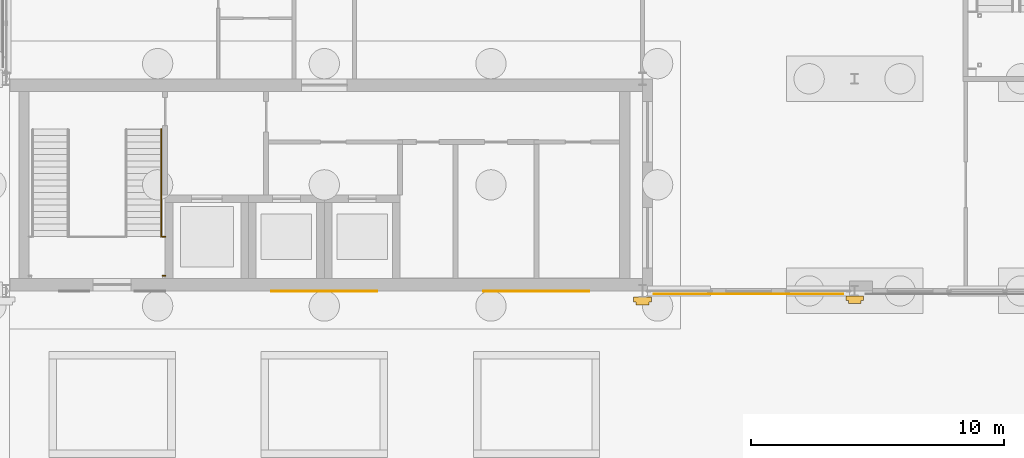
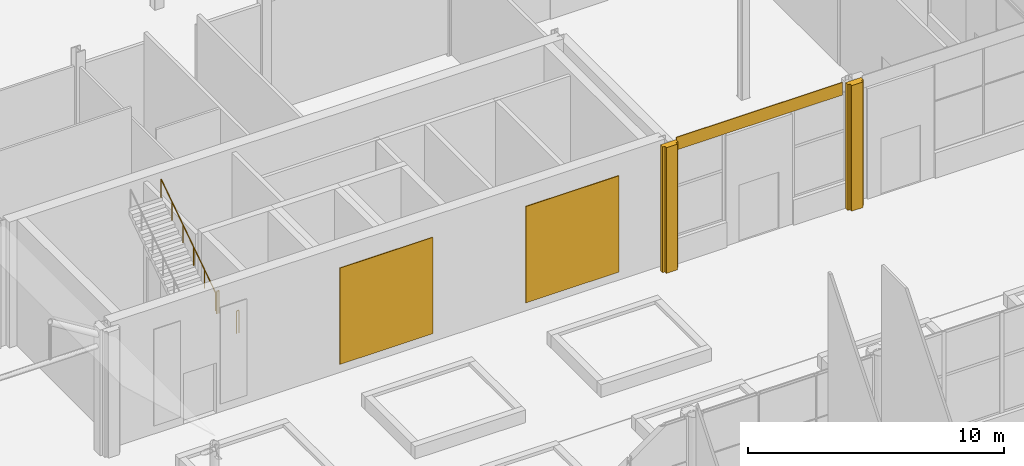
# One storey, part 202 of 212: 5 coverings, 3 railings.
"""IFC4 building model written with IfcOpenShell, lengths in metres."""

from ifc_helpers import new_model, si_unit, direction, frame, origin, origin_2d, place, context, subcontext, project, spatial, polyline, rectangle, circle, outline, extrude, material, layer, layer_set, type_object, element, save


model = new_model("IFC4")

# Units and contexts
model_context = context("Model", 3, precision=1e-05, world=origin(), true_north=direction((0.0, 1.0)))
body_context = subcontext(model_context, "Body", "Model", "MODEL_VIEW")
ifc_project = project(units=[si_unit("LENGTHUNIT", "METRE"), si_unit("AREAUNIT", "SQUARE_METRE"), si_unit("VOLUMEUNIT", "CUBIC_METRE"), si_unit("PLANEANGLEUNIT", "RADIAN"), si_unit("MASSUNIT", "GRAM", prefix="KILO")], contexts=[model_context])

# Site, building, storey
site_placement = place(None, origin())
site = spatial("IfcSite", under=ifc_project, at=site_placement, CompositionType="ELEMENT")
building_placement = place(site_placement, origin())
building = spatial("IfcBuilding", under=site, at=building_placement, Name="Catenary Quay Ferry Terminal", CompositionType="ELEMENT")
storey_placement = place(building_placement, origin())
storey = spatial("IfcBuildingStorey", under=building, at=storey_placement, Name="L00", CompositionType="ELEMENT", Elevation=0.0)

# Coverings
ifc_material_1 = material(Name="Ceramic tile")
ifc_layer_1 = layer(ifc_material_1, 0.0400390625)
ifc_layer_set_1 = layer_set([ifc_layer_1], Name="CL2")
covering_type_1 = type_object("IfcCoveringType", Name="CL2", PredefinedType="CLADDING", material=ifc_layer_set_1)
covering_1_placement = place(storey_placement, origin())
element("IfcCovering", 1, at=covering_1_placement, inside=storey, type_object=covering_type_1, Name="Ceramic pier casing", PredefinedType="CLADDING", context=body_context, shape_type="SweptSolid", body=[
    extrude(outline(polyline([(50.050048828125, 159.35009765625), (50.050048828125, 159.169921875), (50.14990234375, 159.169921875), (50.14990234375, 159.050048828125), (50.64990234375, 159.050048828125), (50.64990234375, 159.169921875), (50.75, 159.169921875), (50.75, 159.35009765625), (50.050048828125, 159.35009765625)])), origin(), (0.0, 0.0, 1.0), 6.0),
])
covering_2_placement = place(storey_placement, origin())
element("IfcCovering", 2, at=covering_2_placement, inside=storey, type_object=covering_type_1, Name="Ceramic pier casing", PredefinedType="CLADDING", context=body_context, shape_type="SweptSolid", body=[
    extrude(outline(polyline([(58.449951171875, 159.39990234375), (58.449951171875, 159.219970703125), (58.550048828125, 159.219970703125), (58.550048828125, 159.10009765625), (59.050048828125, 159.10009765625), (59.050048828125, 159.219970703125), (59.14990234375, 159.219970703125), (59.14990234375, 159.39990234375), (58.449951171875, 159.39990234375)])), origin(), (0.0, 0.0, 1.0), 6.0),
])
ifc_material_2 = material(Name="Ceramic tile")
ifc_layer_2 = layer(ifc_material_2, 0.034912109375)
ifc_layer_set_2 = layer_set([ifc_layer_2], Name="CL5")
covering_type_2 = type_object("IfcCoveringType", Name="CL5", PredefinedType="CLADDING", material=ifc_layer_set_2)
for number, where, z_axis, x_axis, name in (
    (3, (37.800048828125, 159.58251953125, 0.39990234375), (0.0, 0.0, 1.0), (1.0, 0.0, 0.0), "Core h159.6 cladding CV302"),
    (4, (46.199951171875, 159.58251953125, 0.39990234375), (0.0, 0.0, 1.0), (1.0, 0.0, 0.0), "Core h159.6 cladding CV303"),
):
    element("IfcCovering", number, at=place(storey_placement, frame(where, z_axis=z_axis, x_axis=x_axis)), inside=storey, type_object=covering_type_2, Name=name, PredefinedType="CLADDING", context=body_context, shape_type="SweptSolid", body=[
        extrude(rectangle(XDim=4.199951171875, YDim=0.034912109375, at=origin_2d()), origin(), (0.0, 0.0, 1.0), 4.60009765625),
    ])
ifc_material_3 = material(Name="Glazed ceramic tile, ochre")
ifc_layer_3 = layer(ifc_material_3, 0.030029296875)
ifc_layer_set_3 = layer_set([ifc_layer_3], Name="CL6")
covering_type_3 = type_object("IfcCoveringType", Name="CL6", PredefinedType="CLADDING", material=ifc_layer_set_3)
covering_3_placement = place(storey_placement, frame((54.60009765625, 159.480712890625, 5.39990234375), z_axis=(0.0, 0.0, 1.0), x_axis=(1.0, 0.0, 0.0)))
element("IfcCovering", 5, at=covering_3_placement, inside=storey, type_object=covering_type_3, Name="Band wing h159.6 cladding CV304", PredefinedType="CLADDING", context=body_context, shape_type="SweptSolid", body=[
    extrude(rectangle(XDim=7.5, YDim=0.030029296875, at=origin_2d()), origin(), (0.0, 0.0, 1.0), 0.60009765625),
])

# Railings
ifc_material_4 = material(Name="Steel and glass", Category="steel")
railing_type_1 = type_object("IfcRailingType", Name="GI1", PredefinedType="GUARDRAIL", material=ifc_material_4)
railing_1_placement = place(storey_placement, frame((31.5, 160.199951171875, 3.0)))
element("IfcRailing", 6, at=railing_1_placement, inside=storey, type_object=railing_type_1, Name="HS2 strip 0 guard GI128", PredefinedType="GUARDRAIL", context=body_context, shape_type="SweptSolid", body=[
    extrude(circle(Radius=0.02392578125, at=origin_2d()), frame((0.0, 0.0, 1.076171875), z_axis=(-1.0, 0.0, 0.0), x_axis=(0.0, -1.0, 0.0)), (0.0, 0.0, 1.0), 0.099853515625),
    extrude(circle(Radius=0.02099609375, at=origin_2d()), origin(), (0.0, 0.0, 1.0), 1.052001953125),
    extrude(circle(Radius=0.02099609375, at=origin_2d()), frame((-0.099853515625, 0.0, 0.0)), (0.0, 0.0, 1.0), 1.052001953125),
])
railing_2_placement = place(storey_placement, frame((31.400146484375, 161.75, 3.0)))
element("IfcRailing", 7, at=railing_2_placement, inside=storey, type_object=railing_type_1, Name="HS2 strip 0 guard GI129", PredefinedType="GUARDRAIL", context=body_context, shape_type="SweptSolid", body=[
    extrude(circle(Radius=0.02392578125, at=origin_2d()), frame((0.0, 0.0, 1.076171875), z_axis=(1.0, 0.0, 0.0), x_axis=(0.0, 1.0, 0.0)), (0.0, 0.0, 1.0), 0.099853515625),
    extrude(circle(Radius=0.02099609375, at=origin_2d()), origin(), (0.0, 0.0, 1.0), 1.052001953125),
    extrude(circle(Radius=0.02099609375, at=origin_2d()), frame((0.099853515625, 0.0, 0.0)), (0.0, 0.0, 1.0), 1.052001953125),
])
ifc_material_5 = material(Name="Stainless steel", Category="steel")
railing_type_2 = type_object("IfcRailingType", Name="HR1", PredefinedType="HANDRAIL", material=ifc_material_5)
railing_3_placement = place(storey_placement, frame((31.340087890625, 161.75, 3.166748046875)))
element("IfcRailing", 8, at=railing_3_placement, inside=storey, type_object=railing_type_2, Name="HS2 F2B handrail HR123", PredefinedType="HANDRAIL", context=body_context, shape_type="SweptSolid", body=[
    extrude(circle(Radius=0.02392578125, at=origin_2d()), frame((0.0, 0.0, 0.8759765625), z_axis=(0.0, 0.832057647715, 0.554689166001), x_axis=(-1.0, 0.0, 0.0)), (0.0, 0.0, 1.0), 5.10791015625),
    extrude(circle(Radius=0.02099609375, at=origin_2d()), origin(), (0.0, 0.0, 1.0), 0.851806640625),
    extrude(circle(Radius=0.02099609375, at=origin_2d()), frame((0.0, 0.85009765625, 0.566650390625)), (0.0, 0.0, 1.0), 0.851806640625),
    extrude(circle(Radius=0.02099609375, at=origin_2d()), frame((0.0, 1.699951171875, 1.13330078125)), (0.0, 0.0, 1.0), 0.851806640625),
    extrude(circle(Radius=0.02099609375, at=origin_2d()), frame((0.0, 2.550048828125, 1.699951171875)), (0.0, 0.0, 1.0), 0.851806640625),
    extrude(circle(Radius=0.02099609375, at=origin_2d()), frame((0.0, 3.39990234375, 2.2666015625)), (0.0, 0.0, 1.0), 0.851806640625),
    extrude(circle(Radius=0.02099609375, at=origin_2d()), frame((0.0, 4.25, 2.833251953125)), (0.0, 0.0, 1.0), 0.851806640625),
])

save(model, "model.ifc")
